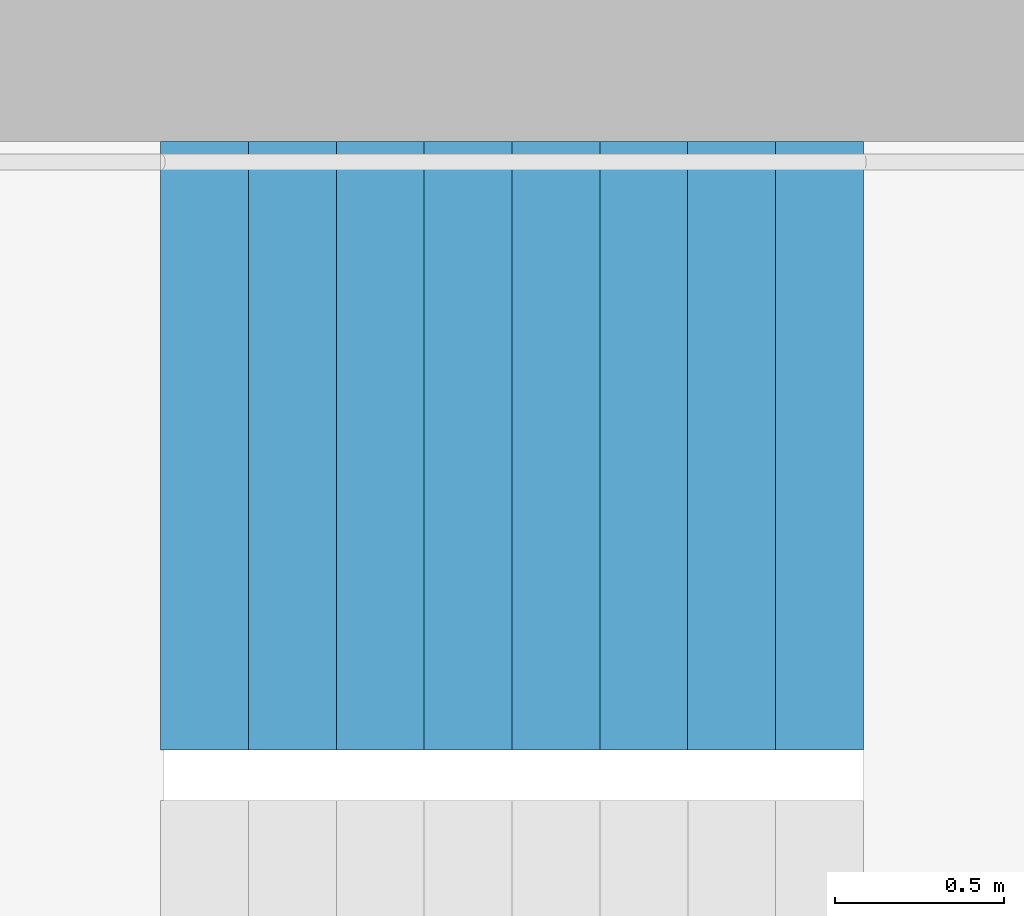
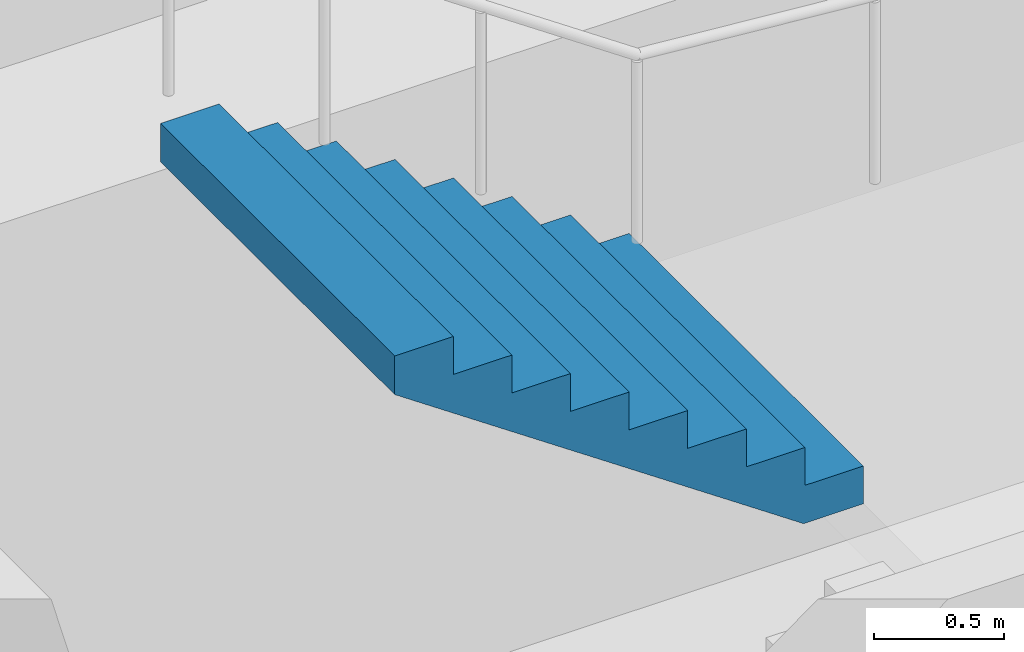
# One storey, part 24 of 29: 1 stair flight, 1 element without a shape of its own.
"""IFC4 building model written with IfcOpenShell, lengths in metres."""

from ifc_helpers import new_model, si_unit, direction, frame, origin, place, context, subcontext, project, spatial, triangles, material, type_object, element, aggregate, save


model = new_model("IFC4")

# Units and contexts
model_context = context("Model", 3, precision=1e-05, world=origin(), true_north=direction((0.0, 1.0)))
body_context = subcontext(model_context, "Body", "Model", "MODEL_VIEW")
ifc_project = project(units=[si_unit("LENGTHUNIT", "METRE"), si_unit("AREAUNIT", "SQUARE_METRE"), si_unit("VOLUMEUNIT", "CUBIC_METRE"), si_unit("PLANEANGLEUNIT", "RADIAN"), si_unit("MASSUNIT", "GRAM", prefix="KILO")], contexts=[model_context])

# Site, building, storey
site_placement = place(None, origin())
site = spatial("IfcSite", under=ifc_project, at=site_placement, CompositionType="ELEMENT")
building_placement = place(site_placement, origin())
building = spatial("IfcBuilding", under=site, at=building_placement, Name="Hakoniwa Tower and Hamabe Station Hall", CompositionType="ELEMENT")
storey_placement = place(building_placement, frame((0.0, 0.0, 78.60009765625)))
storey = spatial("IfcBuildingStorey", under=building, at=storey_placement, Name="L21", CompositionType="ELEMENT", Elevation=78.60009765625)

# Stair, stair flight
ifc_material_1 = material(Name="Concrete C40", Category="concrete")
stair_type = type_object("IfcStairType", Name="ESCAPE STAIR 1800", PredefinedType="HALF_TURN_STAIR", material=ifc_material_1)
stair_placement = place(storey_placement, origin())
stair = element("IfcStair", 1, at=stair_placement, inside=storey, type_object=stair_type, Name="Escape stair ST-1 L21", PredefinedType="HALF_TURN_STAIR")
ifc_material_2 = material(Name="Concrete C40", Category="concrete")
stair_flight_type = type_object("IfcStairFlightType", Name="STAIR FLIGHT 1800", PredefinedType="STRAIGHT", material=ifc_material_2)
stair_flight_placement = place(storey_placement, frame((-22.320068359375, 6.60009765625, 1.599853515625), z_axis=(0.0, 0.0, 1.0), x_axis=(-1.0, 0.0, 0.0)))
stair_flight = element("IfcStairFlight", 2, at=stair_flight_placement, type_object=stair_flight_type, Name="ST-1 flight 2", NumberOfRisers=9, NumberOfTreads=8, PredefinedType="STRAIGHT", RiserHeight=0.177777778, TreadLength=0.26, context=body_context, shape_type="Tessellation", body=[
    triangles([(0.0, 0.89990234375, 0.0), (0.260009765625, 0.89990234375, 0.0), (0.265625, 0.89990234375, 0.0), (0.52001953125, 0.89990234375, 0.174072265625), (0.780029296875, 0.89990234375, 0.351806640625), (1.0400390625, 0.89990234375, 0.529541015625), (1.300048828125, 0.89990234375, 0.707275390625), (1.56005859375, 0.89990234375, 0.885009765625), (1.820068359375, 0.89990234375, 1.062744140625), (2.080078125, 0.89990234375, 1.24072265625), (2.080078125, 0.89990234375, 1.422119140625), (1.820068359375, 0.89990234375, 1.422119140625), (1.820068359375, 0.89990234375, 1.244384765625), (1.56005859375, 0.89990234375, 1.244384765625), (1.56005859375, 0.89990234375, 1.066650390625), (1.300048828125, 0.89990234375, 1.066650390625), (1.300048828125, 0.89990234375, 0.888916015625), (1.0400390625, 0.89990234375, 0.888916015625), (1.0400390625, 0.89990234375, 0.711181640625), (0.780029296875, 0.89990234375, 0.711181640625), (0.780029296875, 0.89990234375, 0.533447265625), (0.52001953125, 0.89990234375, 0.533447265625), (0.52001953125, 0.89990234375, 0.35546875), (0.265625, 0.89990234375, 0.35546875), (0.260009765625, 0.89990234375, 0.35546875), (0.260009765625, 0.89990234375, 0.177734375), (0.0, 0.89990234375, 0.177734375), (0.0, 0.06005859375, 0.0), (0.260009765625, 0.06005859375, 0.0), (0.265625, 0.06005859375, 0.0), (0.52001953125, 0.06005859375, 0.174072265625), (0.780029296875, 0.06005859375, 0.351806640625), (1.0400390625, 0.06005859375, 0.529541015625), (1.300048828125, 0.06005859375, 0.707275390625), (1.56005859375, 0.06005859375, 0.885009765625), (1.820068359375, 0.06005859375, 1.062744140625), (2.080078125, 0.06005859375, 1.24072265625), (2.080078125, 0.06005859375, 1.422119140625), (1.820068359375, 0.06005859375, 1.422119140625), (1.820068359375, 0.06005859375, 1.244384765625), (1.56005859375, 0.06005859375, 1.244384765625), (1.56005859375, 0.06005859375, 1.066650390625), (1.300048828125, 0.06005859375, 1.066650390625), (1.300048828125, 0.06005859375, 0.888916015625), (1.0400390625, 0.06005859375, 0.888916015625), (1.0400390625, 0.06005859375, 0.711181640625), (0.780029296875, 0.06005859375, 0.711181640625), (0.780029296875, 0.06005859375, 0.533447265625), (0.52001953125, 0.06005859375, 0.533447265625), (0.52001953125, 0.06005859375, 0.35546875), (0.265625, 0.06005859375, 0.35546875), (0.260009765625, 0.06005859375, 0.35546875), (0.260009765625, 0.06005859375, 0.177734375), (0.0, 0.06005859375, 0.177734375), (0.0, 0.04296875, 0.0), (0.260009765625, 0.04296875, 0.0), (0.265625, 0.04296875, 0.0), (0.52001953125, 0.04296875, 0.174072265625), (0.780029296875, 0.04296875, 0.351806640625), (1.0400390625, 0.04296875, 0.529541015625), (1.300048828125, 0.04296875, 0.707275390625), (1.56005859375, 0.04296875, 0.885009765625), (1.820068359375, 0.04296875, 1.062744140625), (2.080078125, 0.04296875, 1.24072265625), (2.080078125, 0.04296875, 1.422119140625), (1.820068359375, 0.04296875, 1.422119140625), (1.820068359375, 0.04296875, 1.244384765625), (1.56005859375, 0.04296875, 1.244384765625), (1.56005859375, 0.04296875, 1.066650390625), (1.300048828125, 0.04296875, 1.066650390625), (1.300048828125, 0.04296875, 0.888916015625), (1.0400390625, 0.04296875, 0.888916015625), (1.0400390625, 0.04296875, 0.711181640625), (0.780029296875, 0.04296875, 0.711181640625), (0.780029296875, 0.04296875, 0.533447265625), (0.52001953125, 0.04296875, 0.533447265625), (0.52001953125, 0.04296875, 0.35546875), (0.265625, 0.04296875, 0.35546875), (0.260009765625, 0.04296875, 0.35546875), (0.260009765625, 0.04296875, 0.177734375), (0.0, 0.04296875, 0.177734375), (0.0, 0.025634765625, 0.0), (0.260009765625, 0.025634765625, 0.0), (0.265625, 0.025634765625, 0.0), (0.52001953125, 0.025634765625, 0.174072265625), (0.780029296875, 0.025634765625, 0.351806640625), (1.0400390625, 0.025634765625, 0.529541015625), (1.300048828125, 0.025634765625, 0.707275390625), (1.56005859375, 0.025634765625, 0.885009765625), (1.820068359375, 0.025634765625, 1.062744140625), (2.080078125, 0.025634765625, 1.24072265625), (2.080078125, 0.025634765625, 1.422119140625), (1.820068359375, 0.025634765625, 1.422119140625), (1.820068359375, 0.025634765625, 1.244384765625), (1.56005859375, 0.025634765625, 1.244384765625), (1.56005859375, 0.025634765625, 1.066650390625), (1.300048828125, 0.025634765625, 1.066650390625), (1.300048828125, 0.025634765625, 0.888916015625), (1.0400390625, 0.025634765625, 0.888916015625), (1.0400390625, 0.025634765625, 0.711181640625), (0.780029296875, 0.025634765625, 0.711181640625), (0.780029296875, 0.025634765625, 0.533447265625), (0.52001953125, 0.025634765625, 0.533447265625), (0.52001953125, 0.025634765625, 0.35546875), (0.265625, 0.025634765625, 0.35546875), (0.260009765625, 0.025634765625, 0.35546875), (0.260009765625, 0.025634765625, 0.177734375), (0.0, 0.025634765625, 0.177734375), (0.0, 0.008544921875, 0.0), (0.260009765625, 0.008544921875, 0.0), (0.265625, 0.008544921875, 0.0), (0.52001953125, 0.008544921875, 0.174072265625), (0.780029296875, 0.008544921875, 0.351806640625), (1.0400390625, 0.008544921875, 0.529541015625), (1.300048828125, 0.008544921875, 0.707275390625), (1.56005859375, 0.008544921875, 0.885009765625), (1.820068359375, 0.008544921875, 1.062744140625), (2.080078125, 0.008544921875, 1.24072265625), (2.080078125, 0.008544921875, 1.422119140625), (1.820068359375, 0.008544921875, 1.422119140625), (1.820068359375, 0.008544921875, 1.244384765625), (1.56005859375, 0.008544921875, 1.244384765625), (1.56005859375, 0.008544921875, 1.066650390625), (1.300048828125, 0.008544921875, 1.066650390625), (1.300048828125, 0.008544921875, 0.888916015625), (1.0400390625, 0.008544921875, 0.888916015625), (1.0400390625, 0.008544921875, 0.711181640625), (0.780029296875, 0.008544921875, 0.711181640625), (0.780029296875, 0.008544921875, 0.533447265625), (0.52001953125, 0.008544921875, 0.533447265625), (0.52001953125, 0.008544921875, 0.35546875), (0.265625, 0.008544921875, 0.35546875), (0.260009765625, 0.008544921875, 0.35546875), (0.260009765625, 0.008544921875, 0.177734375), (0.0, 0.008544921875, 0.177734375), (0.0, -0.008544921875, 0.0), (0.260009765625, -0.008544921875, 0.0), (0.265625, -0.008544921875, 0.0), (0.52001953125, -0.008544921875, 0.174072265625), (0.780029296875, -0.008544921875, 0.351806640625), (1.0400390625, -0.008544921875, 0.529541015625), (1.300048828125, -0.008544921875, 0.707275390625), (1.56005859375, -0.008544921875, 0.885009765625), (1.820068359375, -0.008544921875, 1.062744140625), (2.080078125, -0.008544921875, 1.24072265625), (2.080078125, -0.008544921875, 1.422119140625), (1.820068359375, -0.008544921875, 1.422119140625), (1.820068359375, -0.008544921875, 1.244384765625), (1.56005859375, -0.008544921875, 1.244384765625), (1.56005859375, -0.008544921875, 1.066650390625), (1.300048828125, -0.008544921875, 1.066650390625), (1.300048828125, -0.008544921875, 0.888916015625), (1.0400390625, -0.008544921875, 0.888916015625), (1.0400390625, -0.008544921875, 0.711181640625), (0.780029296875, -0.008544921875, 0.711181640625), (0.780029296875, -0.008544921875, 0.533447265625), (0.52001953125, -0.008544921875, 0.533447265625), (0.52001953125, -0.008544921875, 0.35546875), (0.265625, -0.008544921875, 0.35546875), (0.260009765625, -0.008544921875, 0.35546875), (0.260009765625, -0.008544921875, 0.177734375), (0.0, -0.008544921875, 0.177734375), (0.0, -0.025634765625, 0.0), (0.260009765625, -0.025634765625, 0.0), (0.265625, -0.025634765625, 0.0), (0.52001953125, -0.025634765625, 0.174072265625), (0.780029296875, -0.025634765625, 0.351806640625), (1.0400390625, -0.025634765625, 0.529541015625), (1.300048828125, -0.025634765625, 0.707275390625), (1.56005859375, -0.025634765625, 0.885009765625), (1.820068359375, -0.025634765625, 1.062744140625), (2.080078125, -0.025634765625, 1.24072265625), (2.080078125, -0.025634765625, 1.422119140625), (1.820068359375, -0.025634765625, 1.422119140625), (1.820068359375, -0.025634765625, 1.244384765625), (1.56005859375, -0.025634765625, 1.244384765625), (1.56005859375, -0.025634765625, 1.066650390625), (1.300048828125, -0.025634765625, 1.066650390625), (1.300048828125, -0.025634765625, 0.888916015625), (1.0400390625, -0.025634765625, 0.888916015625), (1.0400390625, -0.025634765625, 0.711181640625), (0.780029296875, -0.025634765625, 0.711181640625), (0.780029296875, -0.025634765625, 0.533447265625), (0.52001953125, -0.025634765625, 0.533447265625), (0.52001953125, -0.025634765625, 0.35546875), (0.265625, -0.025634765625, 0.35546875), (0.260009765625, -0.025634765625, 0.35546875), (0.260009765625, -0.025634765625, 0.177734375), (0.0, -0.025634765625, 0.177734375), (0.0, -0.04296875, 0.0), (0.260009765625, -0.04296875, 0.0), (0.265625, -0.04296875, 0.0), (0.52001953125, -0.04296875, 0.174072265625), (0.780029296875, -0.04296875, 0.351806640625), (1.0400390625, -0.04296875, 0.529541015625), (1.300048828125, -0.04296875, 0.707275390625), (1.56005859375, -0.04296875, 0.885009765625), (1.820068359375, -0.04296875, 1.062744140625), (2.080078125, -0.04296875, 1.24072265625), (2.080078125, -0.04296875, 1.422119140625), (1.820068359375, -0.04296875, 1.422119140625), (1.820068359375, -0.04296875, 1.244384765625), (1.56005859375, -0.04296875, 1.244384765625), (1.56005859375, -0.04296875, 1.066650390625), (1.300048828125, -0.04296875, 1.066650390625), (1.300048828125, -0.04296875, 0.888916015625), (1.0400390625, -0.04296875, 0.888916015625), (1.0400390625, -0.04296875, 0.711181640625), (0.780029296875, -0.04296875, 0.711181640625), (0.780029296875, -0.04296875, 0.533447265625), (0.52001953125, -0.04296875, 0.533447265625), (0.52001953125, -0.04296875, 0.35546875), (0.265625, -0.04296875, 0.35546875), (0.260009765625, -0.04296875, 0.35546875), (0.260009765625, -0.04296875, 0.177734375), (0.0, -0.04296875, 0.177734375), (0.0, -0.06005859375, 0.0), (0.260009765625, -0.06005859375, 0.0), (0.265625, -0.06005859375, 0.0), (0.52001953125, -0.06005859375, 0.174072265625), (0.780029296875, -0.06005859375, 0.351806640625), (1.0400390625, -0.06005859375, 0.529541015625), (1.300048828125, -0.06005859375, 0.707275390625), (1.56005859375, -0.06005859375, 0.885009765625), (1.820068359375, -0.06005859375, 1.062744140625), (2.080078125, -0.06005859375, 1.24072265625), (2.080078125, -0.06005859375, 1.422119140625), (1.820068359375, -0.06005859375, 1.422119140625), (1.820068359375, -0.06005859375, 1.244384765625), (1.56005859375, -0.06005859375, 1.244384765625), (1.56005859375, -0.06005859375, 1.066650390625), (1.300048828125, -0.06005859375, 1.066650390625), (1.300048828125, -0.06005859375, 0.888916015625), (1.0400390625, -0.06005859375, 0.888916015625), (1.0400390625, -0.06005859375, 0.711181640625), (0.780029296875, -0.06005859375, 0.711181640625), (0.780029296875, -0.06005859375, 0.533447265625), (0.52001953125, -0.06005859375, 0.533447265625), (0.52001953125, -0.06005859375, 0.35546875), (0.265625, -0.06005859375, 0.35546875), (0.260009765625, -0.06005859375, 0.35546875), (0.260009765625, -0.06005859375, 0.177734375), (0.0, -0.06005859375, 0.177734375), (0.0, -0.89990234375, 0.0), (0.260009765625, -0.89990234375, 0.0), (0.265625, -0.89990234375, 0.0), (0.52001953125, -0.89990234375, 0.174072265625), (0.780029296875, -0.89990234375, 0.351806640625), (1.0400390625, -0.89990234375, 0.529541015625), (1.300048828125, -0.89990234375, 0.707275390625), (1.56005859375, -0.89990234375, 0.885009765625), (1.820068359375, -0.89990234375, 1.062744140625), (2.080078125, -0.89990234375, 1.24072265625), (2.080078125, -0.89990234375, 1.422119140625), (1.820068359375, -0.89990234375, 1.422119140625), (1.820068359375, -0.89990234375, 1.244384765625), (1.56005859375, -0.89990234375, 1.244384765625), (1.56005859375, -0.89990234375, 1.066650390625), (1.300048828125, -0.89990234375, 1.066650390625), (1.300048828125, -0.89990234375, 0.888916015625), (1.0400390625, -0.89990234375, 0.888916015625), (1.0400390625, -0.89990234375, 0.711181640625), (0.780029296875, -0.89990234375, 0.711181640625), (0.780029296875, -0.89990234375, 0.533447265625), (0.52001953125, -0.89990234375, 0.533447265625), (0.52001953125, -0.89990234375, 0.35546875), (0.265625, -0.89990234375, 0.35546875), (0.260009765625, -0.89990234375, 0.35546875), (0.260009765625, -0.89990234375, 0.177734375), (0.0, -0.89990234375, 0.177734375)], [[2, 27, 26], [245, 269, 270], [2, 1, 27], [245, 270, 244], [3, 25, 24], [246, 267, 268], [3, 26, 25], [246, 268, 269], [3, 2, 26], [246, 269, 245], [4, 24, 23], [247, 266, 267], [4, 3, 24], [247, 267, 246], [5, 22, 21], [248, 264, 265], [5, 23, 22], [248, 265, 266], [5, 4, 23], [248, 266, 247], [6, 20, 19], [249, 262, 263], [6, 21, 20], [249, 263, 264], [6, 5, 21], [249, 264, 248], [7, 18, 17], [250, 260, 261], [7, 19, 18], [250, 261, 262], [7, 6, 19], [250, 262, 249], [8, 16, 15], [251, 258, 259], [8, 17, 16], [251, 259, 260], [8, 7, 17], [251, 260, 250], [9, 14, 13], [252, 256, 257], [9, 15, 14], [252, 257, 258], [9, 8, 15], [252, 258, 251], [10, 12, 11], [253, 254, 255], [10, 13, 12], [253, 255, 256], [10, 9, 13], [253, 256, 252], [1, 2, 29], [1, 29, 28], [28, 29, 56], [28, 56, 55], [55, 56, 83], [55, 83, 82], [82, 83, 110], [82, 110, 109], [109, 110, 137], [109, 137, 136], [136, 137, 164], [136, 164, 163], [163, 164, 191], [163, 191, 190], [190, 191, 218], [190, 218, 217], [217, 218, 245], [217, 245, 244], [2, 3, 30], [2, 30, 29], [29, 30, 57], [29, 57, 56], [56, 57, 84], [56, 84, 83], [83, 84, 111], [83, 111, 110], [110, 111, 138], [110, 138, 137], [137, 138, 165], [137, 165, 164], [164, 165, 192], [164, 192, 191], [191, 192, 219], [191, 219, 218], [218, 219, 246], [218, 246, 245], [3, 4, 31], [3, 31, 30], [30, 31, 58], [30, 58, 57], [57, 58, 85], [57, 85, 84], [84, 85, 112], [84, 112, 111], [111, 112, 139], [111, 139, 138], [138, 139, 166], [138, 166, 165], [165, 166, 193], [165, 193, 192], [192, 193, 220], [192, 220, 219], [219, 220, 247], [219, 247, 246], [4, 5, 32], [4, 32, 31], [31, 32, 59], [31, 59, 58], [58, 59, 86], [58, 86, 85], [85, 86, 113], [85, 113, 112], [112, 113, 140], [112, 140, 139], [139, 140, 167], [139, 167, 166], [166, 167, 194], [166, 194, 193], [193, 194, 221], [193, 221, 220], [220, 221, 248], [220, 248, 247], [5, 6, 33], [5, 33, 32], [32, 33, 60], [32, 60, 59], [59, 60, 87], [59, 87, 86], [86, 87, 114], [86, 114, 113], [113, 114, 141], [113, 141, 140], [140, 141, 168], [140, 168, 167], [167, 168, 195], [167, 195, 194], [194, 195, 222], [194, 222, 221], [221, 222, 249], [221, 249, 248], [6, 7, 34], [6, 34, 33], [33, 34, 61], [33, 61, 60], [60, 61, 88], [60, 88, 87], [87, 88, 115], [87, 115, 114], [114, 115, 142], [114, 142, 141], [141, 142, 169], [141, 169, 168], [168, 169, 196], [168, 196, 195], [195, 196, 223], [195, 223, 222], [222, 223, 250], [222, 250, 249], [7, 8, 35], [7, 35, 34], [34, 35, 62], [34, 62, 61], [61, 62, 89], [61, 89, 88], [88, 89, 116], [88, 116, 115], [115, 116, 143], [115, 143, 142], [142, 143, 170], [142, 170, 169], [169, 170, 197], [169, 197, 196], [196, 197, 224], [196, 224, 223], [223, 224, 251], [223, 251, 250], [8, 9, 36], [8, 36, 35], [35, 36, 63], [35, 63, 62], [62, 63, 90], [62, 90, 89], [89, 90, 117], [89, 117, 116], [116, 117, 144], [116, 144, 143], [143, 144, 171], [143, 171, 170], [170, 171, 198], [170, 198, 197], [197, 198, 225], [197, 225, 224], [224, 225, 252], [224, 252, 251], [9, 10, 37], [9, 37, 36], [36, 37, 64], [36, 64, 63], [63, 64, 91], [63, 91, 90], [90, 91, 118], [90, 118, 117], [117, 118, 145], [117, 145, 144], [144, 145, 172], [144, 172, 171], [171, 172, 199], [171, 199, 198], [198, 199, 226], [198, 226, 225], [225, 226, 253], [225, 253, 252], [10, 11, 38], [10, 38, 37], [37, 38, 65], [37, 65, 64], [64, 65, 92], [64, 92, 91], [91, 92, 119], [91, 119, 118], [118, 119, 146], [118, 146, 145], [145, 146, 173], [145, 173, 172], [172, 173, 200], [172, 200, 199], [199, 200, 227], [199, 227, 226], [226, 227, 254], [226, 254, 253], [11, 12, 39], [11, 39, 38], [38, 39, 66], [38, 66, 65], [65, 66, 93], [65, 93, 92], [92, 93, 120], [92, 120, 119], [119, 120, 147], [119, 147, 146], [146, 147, 174], [146, 174, 173], [173, 174, 201], [173, 201, 200], [200, 201, 228], [200, 228, 227], [227, 228, 255], [227, 255, 254], [12, 13, 40], [12, 40, 39], [39, 40, 67], [39, 67, 66], [66, 67, 94], [66, 94, 93], [93, 94, 121], [93, 121, 120], [120, 121, 148], [120, 148, 147], [147, 148, 175], [147, 175, 174], [174, 175, 202], [174, 202, 201], [201, 202, 229], [201, 229, 228], [228, 229, 256], [228, 256, 255], [13, 14, 41], [13, 41, 40], [40, 41, 68], [40, 68, 67], [67, 68, 95], [67, 95, 94], [94, 95, 122], [94, 122, 121], [121, 122, 149], [121, 149, 148], [148, 149, 176], [148, 176, 175], [175, 176, 203], [175, 203, 202], [202, 203, 230], [202, 230, 229], [229, 230, 257], [229, 257, 256], [14, 15, 42], [14, 42, 41], [41, 42, 69], [41, 69, 68], [68, 69, 96], [68, 96, 95], [95, 96, 123], [95, 123, 122], [122, 123, 150], [122, 150, 149], [149, 150, 177], [149, 177, 176], [176, 177, 204], [176, 204, 203], [203, 204, 231], [203, 231, 230], [230, 231, 258], [230, 258, 257], [15, 16, 43], [15, 43, 42], [42, 43, 70], [42, 70, 69], [69, 70, 97], [69, 97, 96], [96, 97, 124], [96, 124, 123], [123, 124, 151], [123, 151, 150], [150, 151, 178], [150, 178, 177], [177, 178, 205], [177, 205, 204], [204, 205, 232], [204, 232, 231], [231, 232, 259], [231, 259, 258], [16, 17, 44], [16, 44, 43], [43, 44, 71], [43, 71, 70], [70, 71, 98], [70, 98, 97], [97, 98, 125], [97, 125, 124], [124, 125, 152], [124, 152, 151], [151, 152, 179], [151, 179, 178], [178, 179, 206], [178, 206, 205], [205, 206, 233], [205, 233, 232], [232, 233, 260], [232, 260, 259], [17, 18, 45], [17, 45, 44], [44, 45, 72], [44, 72, 71], [71, 72, 99], [71, 99, 98], [98, 99, 126], [98, 126, 125], [125, 126, 153], [125, 153, 152], [152, 153, 180], [152, 180, 179], [179, 180, 207], [179, 207, 206], [206, 207, 234], [206, 234, 233], [233, 234, 261], [233, 261, 260], [18, 19, 46], [18, 46, 45], [45, 46, 73], [45, 73, 72], [72, 73, 100], [72, 100, 99], [99, 100, 127], [99, 127, 126], [126, 127, 154], [126, 154, 153], [153, 154, 181], [153, 181, 180], [180, 181, 208], [180, 208, 207], [207, 208, 235], [207, 235, 234], [234, 235, 262], [234, 262, 261], [19, 20, 47], [19, 47, 46], [46, 47, 74], [46, 74, 73], [73, 74, 101], [73, 101, 100], [100, 101, 128], [100, 128, 127], [127, 128, 155], [127, 155, 154], [154, 155, 182], [154, 182, 181], [181, 182, 209], [181, 209, 208], [208, 209, 236], [208, 236, 235], [235, 236, 263], [235, 263, 262], [20, 21, 48], [20, 48, 47], [47, 48, 75], [47, 75, 74], [74, 75, 102], [74, 102, 101], [101, 102, 129], [101, 129, 128], [128, 129, 156], [128, 156, 155], [155, 156, 183], [155, 183, 182], [182, 183, 210], [182, 210, 209], [209, 210, 237], [209, 237, 236], [236, 237, 264], [236, 264, 263], [21, 22, 49], [21, 49, 48], [48, 49, 76], [48, 76, 75], [75, 76, 103], [75, 103, 102], [102, 103, 130], [102, 130, 129], [129, 130, 157], [129, 157, 156], [156, 157, 184], [156, 184, 183], [183, 184, 211], [183, 211, 210], [210, 211, 238], [210, 238, 237], [237, 238, 265], [237, 265, 264], [22, 23, 50], [22, 50, 49], [49, 50, 77], [49, 77, 76], [76, 77, 104], [76, 104, 103], [103, 104, 131], [103, 131, 130], [130, 131, 158], [130, 158, 157], [157, 158, 185], [157, 185, 184], [184, 185, 212], [184, 212, 211], [211, 212, 239], [211, 239, 238], [238, 239, 266], [238, 266, 265], [23, 24, 51], [23, 51, 50], [50, 51, 78], [50, 78, 77], [77, 78, 105], [77, 105, 104], [104, 105, 132], [104, 132, 131], [131, 132, 159], [131, 159, 158], [158, 159, 186], [158, 186, 185], [185, 186, 213], [185, 213, 212], [212, 213, 240], [212, 240, 239], [239, 240, 267], [239, 267, 266], [24, 25, 52], [24, 52, 51], [51, 52, 79], [51, 79, 78], [78, 79, 106], [78, 106, 105], [105, 106, 133], [105, 133, 132], [132, 133, 160], [132, 160, 159], [159, 160, 187], [159, 187, 186], [186, 187, 214], [186, 214, 213], [213, 214, 241], [213, 241, 240], [240, 241, 268], [240, 268, 267], [25, 26, 53], [25, 53, 52], [52, 53, 80], [52, 80, 79], [79, 80, 107], [79, 107, 106], [106, 107, 134], [106, 134, 133], [133, 134, 161], [133, 161, 160], [160, 161, 188], [160, 188, 187], [187, 188, 215], [187, 215, 214], [214, 215, 242], [214, 242, 241], [241, 242, 269], [241, 269, 268], [26, 27, 54], [26, 54, 53], [53, 54, 81], [53, 81, 80], [80, 81, 108], [80, 108, 107], [107, 108, 135], [107, 135, 134], [134, 135, 162], [134, 162, 161], [161, 162, 189], [161, 189, 188], [188, 189, 216], [188, 216, 215], [215, 216, 243], [215, 243, 242], [242, 243, 270], [242, 270, 269], [27, 1, 28], [27, 28, 54], [54, 28, 55], [54, 55, 81], [81, 55, 82], [81, 82, 108], [108, 82, 109], [108, 109, 135], [135, 109, 136], [135, 136, 162], [162, 136, 163], [162, 163, 189], [189, 163, 190], [189, 190, 216], [216, 190, 217], [216, 217, 243], [243, 217, 244], [243, 244, 270]], closed=True),
])
aggregate(stair, [stair_flight])

save(model, "model.ifc")
